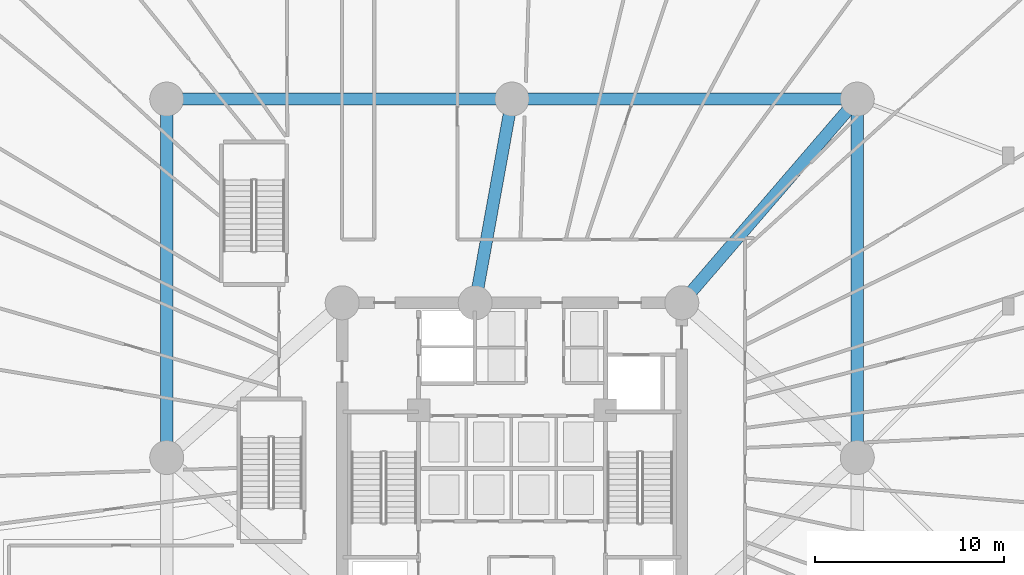
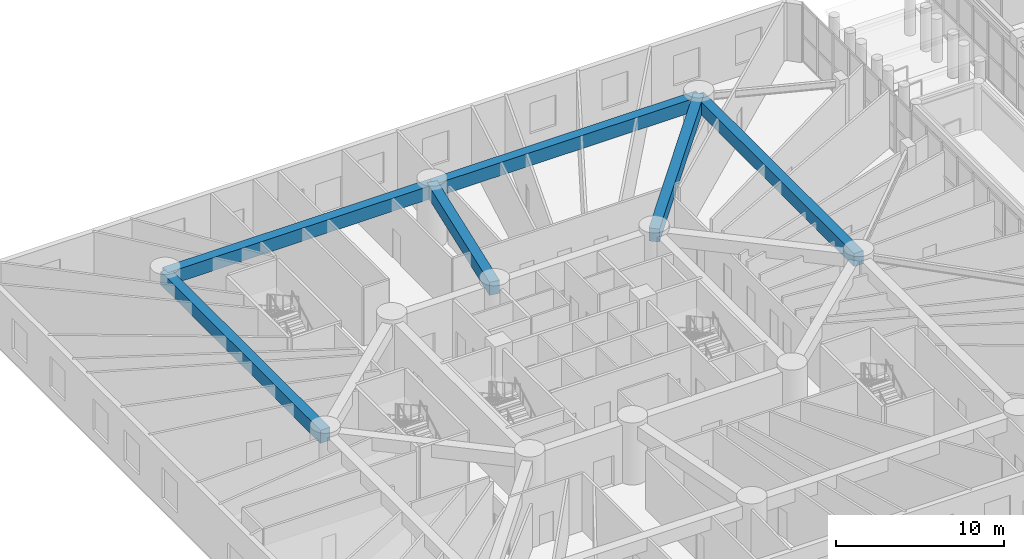
# One storey, part 4 of 30: 6 beams.
"""IFC4 building model written with IfcOpenShell, lengths in metres."""

from ifc_helpers import new_model, si_unit, direction, frame, origin, origin_with_axes, origin_2d, place, context, subcontext, project, spatial, rectangle, extrude, source, transform, mapped, material, material_profile, profile_set, type_object, element, save


model = new_model("IFC4")

# Units and contexts
model_context = context("Model", 3, precision=1e-05, world=origin(), true_north=direction((0.0, 1.0)))
body_context = subcontext(model_context, "Body", "Model", "MODEL_VIEW")
ifc_project = project(units=[si_unit("LENGTHUNIT", "METRE"), si_unit("AREAUNIT", "SQUARE_METRE"), si_unit("VOLUMEUNIT", "CUBIC_METRE"), si_unit("PLANEANGLEUNIT", "RADIAN"), si_unit("MASSUNIT", "GRAM", prefix="KILO")], contexts=[model_context])

# Site, building, storey
site_placement = place(None, origin())
site = spatial("IfcSite", under=ifc_project, at=site_placement, CompositionType="ELEMENT")
building_placement = place(site_placement, origin())
building = spatial("IfcBuilding", under=site, at=building_placement, Name="Karkom Vertical University and Central Library", CompositionType="ELEMENT")
storey_placement = place(building_placement, origin())
storey = spatial("IfcBuildingStorey", under=building, at=storey_placement, Name="L00", CompositionType="ELEMENT", Elevation=0.0)

# Beams
ifc_material = material(Name="Concrete C50/60", Category="concrete")
ifc_material_profile = material_profile(ifc_material, rectangle(XDim=0.64990234375, YDim=0.949951171875, at=origin_2d()), Name="RCG-650x950")
ifc_profile_set = profile_set([ifc_material_profile], Name="Concrete C50/60")
beam_type = type_object("IfcBeamType", Name="STR-BM-BG-1", PredefinedType="USERDEFINED", material=ifc_profile_set)
shared_shape_1 = source(origin_with_axes(), body_context, "Body", "SweptSolid", [
    extrude(rectangle(XDim=0.64990234375, YDim=0.949951171875, at=origin_2d()), origin(), (0.0, 0.0, 1.0), 18.300048828125),
])
for number, where, z_axis, x_axis, name in (
    (1, (10.199951171875, 45.5, 3.72509765625), (1.0, 0.0, 0.0), (0.0, 1.0, 0.0), "Level 00 Podium Primary Girder 07"),
    (2, (28.5, 45.5, 3.72509765625), (1.0, 0.0, 0.0), (0.0, 1.0, 0.0), "Level 00 Podium Primary Girder 08"),
):
    element("IfcBeam", number, at=place(storey_placement, frame(where, z_axis=z_axis, x_axis=x_axis)), inside=storey, type_object=beam_type, Name=name, ObjectType="GIRDER", PredefinedType="USERDEFINED", context=body_context, shape_type="MappedRepresentation", body=[
        mapped(shared_shape_1, transform((0.0, 0.0, 0.0), scale=1.0)),
    ])
shared_shape_2 = source(origin_with_axes(), body_context, "Body", "SweptSolid", [
    extrude(rectangle(XDim=0.64990234375, YDim=0.949951171875, at=origin_2d()), origin(), (0.0, 0.0, 1.0), 19.0),
])
for number, where, z_axis, x_axis, name in (
    (3, (10.199951171875, 26.5, 3.72509765625), (0.0, 1.0, 0.0), (-1.0, 0.0, 0.0), "Level 00 Podium Primary Girder 04"),
    (4, (46.800048828125, 26.5, 3.72509765625), (0.0, 1.0, 0.0), (-1.0, 0.0, 0.0), "Level 00 Podium Primary Girder 06"),
):
    element("IfcBeam", number, at=place(storey_placement, frame(where, z_axis=z_axis, x_axis=x_axis)), inside=storey, type_object=beam_type, Name=name, ObjectType="GIRDER", PredefinedType="USERDEFINED", context=body_context, shape_type="MappedRepresentation", body=[
        mapped(shared_shape_2, transform((0.0, 0.0, 0.0), scale=1.0)),
    ])
shared_shape_3 = source(origin_with_axes(), body_context, "Body", "SweptSolid", [
    extrude(rectangle(XDim=0.64990234375, YDim=0.949951171875, at=origin_2d()), origin(), (0.0, 0.0, 1.0), 14.25244140625),
])
beam_1_placement = place(storey_placement, frame((46.800048828125, 45.5, 3.72509765625), z_axis=(-0.652523408586, -0.757768567076, 0.0), x_axis=(0.757768567076, -0.652523408586, 0.0)))
element("IfcBeam", 5, at=beam_1_placement, inside=storey, type_object=beam_type, Name="Level 00 Podium Primary Girder 14", ObjectType="GIRDER", PredefinedType="USERDEFINED", context=body_context, shape_type="MappedRepresentation", body=[
    mapped(shared_shape_3, transform((0.0, 0.0, 0.0), scale=1.0)),
])
shared_shape_4 = source(origin_with_axes(), body_context, "Body", "SweptSolid", [
    extrude(rectangle(XDim=0.64990234375, YDim=0.949951171875, at=origin_2d()), origin(), (0.0, 0.0, 1.0), 10.974609375),
])
beam_2_placement = place(storey_placement, frame((28.5, 45.5, 3.72509765625), z_axis=(-0.177677443813, -0.984088779511, 0.0), x_axis=(0.984088779511, -0.177677443813, 0.0)))
element("IfcBeam", 6, at=beam_2_placement, inside=storey, type_object=beam_type, Name="Level 00 Podium Primary Girder 13", ObjectType="GIRDER", PredefinedType="USERDEFINED", context=body_context, shape_type="MappedRepresentation", body=[
    mapped(shared_shape_4, transform((0.0, 0.0, 0.0), scale=1.0)),
])

save(model, "model.ifc")
